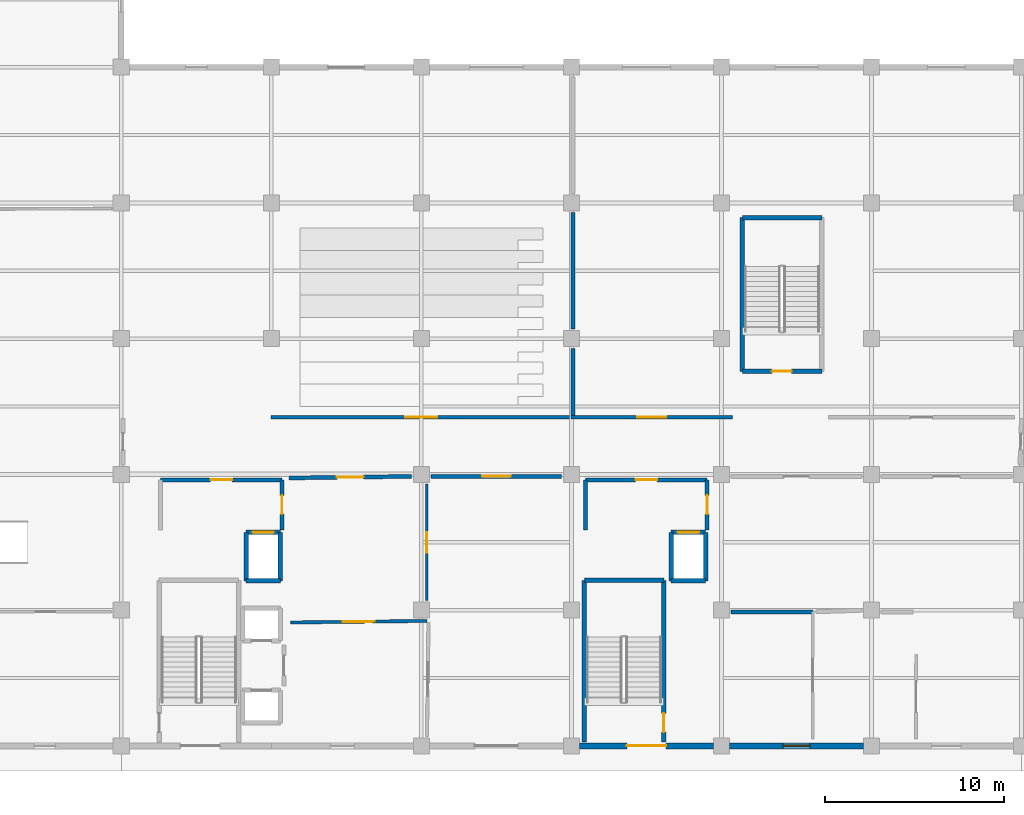
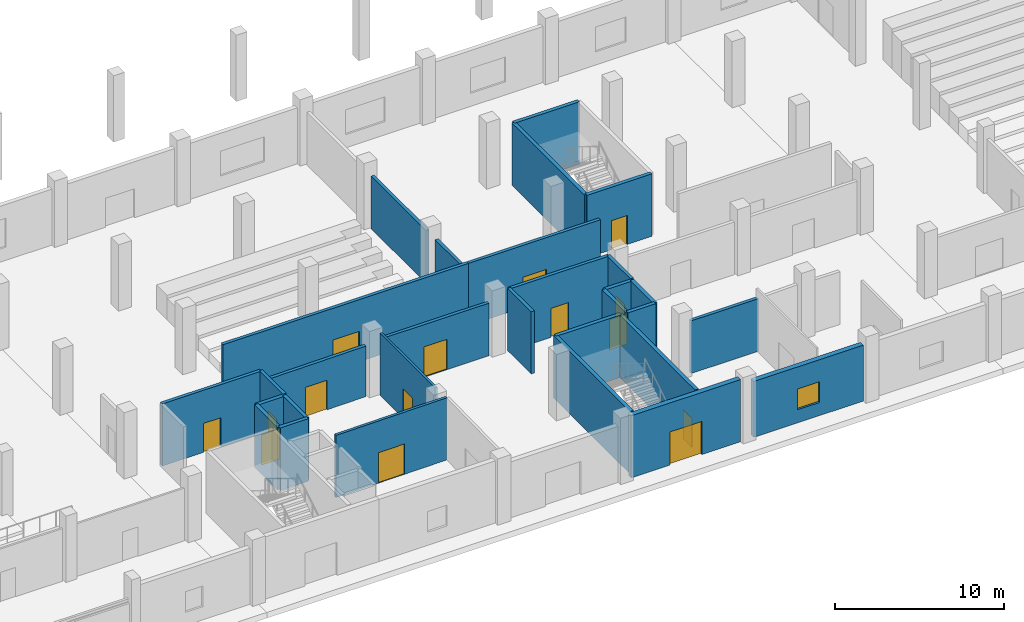
# One storey, part 18 of 36: 30 walls, 15 doors, 1 window, 16 openings.
"""IFC4 building model written with IfcOpenShell, lengths in metres."""

from ifc_helpers import new_model, si_unit, direction, frame, frame_2d, origin, place, context, subcontext, project, spatial, rectangle, extrude, material, layer, layer_set, type_object, element, fill, save


model = new_model("IFC4")

# Units and contexts
model_context = context("Model", 3, precision=1e-05, world=origin(), true_north=direction((0.0, 1.0)))
body_context = subcontext(model_context, "Body", "Model", "MODEL_VIEW")
ifc_project = project(units=[si_unit("LENGTHUNIT", "METRE"), si_unit("AREAUNIT", "SQUARE_METRE"), si_unit("VOLUMEUNIT", "CUBIC_METRE"), si_unit("PLANEANGLEUNIT", "RADIAN"), si_unit("MASSUNIT", "GRAM", prefix="KILO")], contexts=[model_context])

# Site, building, storey
site_placement = place(None, origin())
site = spatial("IfcSite", under=ifc_project, at=site_placement, CompositionType="ELEMENT")
building_placement = place(site_placement, origin())
building = spatial("IfcBuilding", under=site, at=building_placement, Name="Zuvorla Pavilion Media Centre", CompositionType="ELEMENT")
storey_placement = place(building_placement, origin())
storey = spatial("IfcBuildingStorey", under=building, at=storey_placement, Name="L00", CompositionType="ELEMENT", Elevation=0.0)

# Wall, opening, door
ifc_material_1 = material(Name="Acoustic masonry blockwork C32/40", Category="masonry")
ifc_layer_1 = layer(ifc_material_1, 0.219970703125)
ifc_layer_set_1 = layer_set([ifc_layer_1], Name="Acoustic masonry blockwork C32/40")
wall_type_1 = type_object("IfcWallType", Name="WL-CMP-220", PredefinedType="SOLIDWALL", material=ifc_layer_set_1)
wall_1_placement = place(storey_placement, frame((69.0, 20.89990234375, 0.0), z_axis=(0.0, 0.0, 1.0), x_axis=(1.0, 0.0, 0.0)))
wall_1 = element("IfcWall", 1, at=wall_1_placement, inside=storey, type_object=wall_type_1, Name="L00 solid wall IW22 15", PredefinedType="SOLIDWALL", context=body_context, shape_type="SweptSolid", body=[
    extrude(rectangle(XDim=6.800048828125, YDim=0.219970703125, at=frame_2d((3.39990234375, 0.0))), origin(), (0.0, 0.0, 1.0), 4.5),
])
opening_1_placement = place(wall_1_placement, frame((2.800048828125, 0.0, 0.0)))
opening_1 = element("IfcOpeningElement", 2, at=opening_1_placement, cuts=wall_1, Name="Opening FD06", PredefinedType="OPENING", context=body_context, shape_type="SweptSolid", body=[
    extrude(rectangle(XDim=1.199951171875, YDim=2.10009765625, at=frame_2d((0.60009765625, 1.050048828125))), frame((0.0, 0.119873046875, 0.0), z_axis=(0.0, -1.0, 0.0), x_axis=(1.0, 0.0, 0.0)), (0.0, 0.0, 1.0), 0.239990234375),
])
ifc_material_2 = material(Name="Acoustic timber fire door leaf in steel frame", Category="steel")
door_type_1 = type_object("IfcDoorType", Name="DR-INT-FD06", OperationType="NOTDEFINED", PredefinedType="DOOR", material=ifc_material_2)
door_1_placement = place(opening_1_placement, origin())
door_1 = element("IfcDoor", 3, at=door_1_placement, inside=storey, type_object=door_type_1, Name="Firefighting lobby 1 door FD06 6", OperationType="SINGLE_SWING_LEFT", OverallHeight=2.10009765625, OverallWidth=1.199951171875, PredefinedType="DOOR", context=body_context, shape_type="SweptSolid", body=[
    extrude(rectangle(XDim=1.199951171875, YDim=2.10009765625, at=frame_2d((0.60009765625, 1.050048828125))), frame((0.0, 0.02490234375, 0.0), z_axis=(0.0, -1.0, 0.0), x_axis=(1.0, 0.0, 0.0)), (0.0, 0.0, 1.0), 0.050048828125),
])
fill(opening_1, door_1)

wall_2_placement = place(storey_placement, frame((75.800048828125, 18.10009765625, 0.0), z_axis=(0.0, 0.0, 1.0), x_axis=(0.0, 1.0, 0.0)))
wall_2 = element("IfcWall", 4, at=wall_2_placement, inside=storey, type_object=wall_type_1, Name="L00 solid wall IW22 17", PredefinedType="SOLIDWALL", context=body_context, shape_type="SweptSolid", body=[
    extrude(rectangle(XDim=2.7998046875, YDim=0.219970703125, at=frame_2d((1.39990234375, 0.0))), origin(), (0.0, 0.0, 1.0), 4.5),
])
opening_2_placement = place(wall_2_placement, frame((0.875, 0.0, 0.0)))
opening_2 = element("IfcOpeningElement", 5, at=opening_2_placement, cuts=wall_2, Name="Opening FD04", PredefinedType="OPENING", context=body_context, shape_type="SweptSolid", body=[
    extrude(rectangle(XDim=1.050048828125, YDim=2.10009765625, at=frame_2d((0.52490234375, 1.050048828125))), frame((0.0, 0.119873046875, 0.0), z_axis=(0.0, -1.0, 0.0), x_axis=(1.0, 0.0, 0.0)), (0.0, 0.0, 1.0), 0.239990234375),
])
door_type_2 = type_object("IfcDoorType", Name="DR-INT-FD04", OperationType="NOTDEFINED", PredefinedType="DOOR", material=ifc_material_2)
door_2_placement = place(opening_2_placement, origin())
door_2 = element("IfcDoor", 6, at=door_2_placement, inside=storey, type_object=door_type_2, Name="Firefighting lobby 1 access door FD04 7", OperationType="SINGLE_SWING_LEFT", OverallHeight=2.10009765625, OverallWidth=1.050048828125, PredefinedType="DOOR", context=body_context, shape_type="SweptSolid", body=[
    extrude(rectangle(XDim=1.050048828125, YDim=2.10009765625, at=frame_2d((0.52490234375, 1.050048828125))), frame((0.0, 0.02490234375, 0.0), z_axis=(0.0, -1.0, 0.0), x_axis=(1.0, 0.0, 0.0)), (0.0, 0.0, 1.0), 0.050048828125),
])
fill(opening_2, door_2)

wall_3_placement = place(storey_placement, frame((92.800048828125, 20.89990234375, 0.0), z_axis=(0.0, 0.0, 1.0), x_axis=(1.0, 0.0, 0.0)))
wall_3 = element("IfcWall", 7, at=wall_3_placement, inside=storey, type_object=wall_type_1, Name="L00 solid wall IW22 166", PredefinedType="SOLIDWALL", context=body_context, shape_type="SweptSolid", body=[
    extrude(rectangle(XDim=6.800048828125, YDim=0.219970703125, at=frame_2d((3.39990234375, 0.0))), origin(), (0.0, 0.0, 1.0), 4.5),
])
opening_3_placement = place(wall_3_placement, frame((2.800048828125, 0.0, 0.0)))
opening_3 = element("IfcOpeningElement", 8, at=opening_3_placement, cuts=wall_3, Name="Opening FD06", PredefinedType="OPENING", context=body_context, shape_type="SweptSolid", body=[
    extrude(rectangle(XDim=1.199951171875, YDim=2.10009765625, at=frame_2d((0.60009765625, 1.050048828125))), frame((0.0, 0.119873046875, 0.0), z_axis=(0.0, -1.0, 0.0), x_axis=(1.0, 0.0, 0.0)), (0.0, 0.0, 1.0), 0.239990234375),
])
door_3_placement = place(opening_3_placement, origin())
door_3 = element("IfcDoor", 9, at=door_3_placement, inside=storey, type_object=door_type_1, Name="Firefighting lobby 2 door FD06 61", OperationType="SINGLE_SWING_LEFT", OverallHeight=2.10009765625, OverallWidth=1.199951171875, PredefinedType="DOOR", context=body_context, shape_type="SweptSolid", body=[
    extrude(rectangle(XDim=1.199951171875, YDim=2.10009765625, at=frame_2d((0.60009765625, 1.050048828125))), frame((0.0, 0.02490234375, 0.0), z_axis=(0.0, -1.0, 0.0), x_axis=(1.0, 0.0, 0.0)), (0.0, 0.0, 1.0), 0.050048828125),
])
fill(opening_3, door_3)

# Wall
wall_4_placement = place(storey_placement, frame((92.800048828125, 18.10009765625, 0.0), z_axis=(0.0, 0.0, 1.0), x_axis=(0.0, 1.0, 0.0)))
element("IfcWall", 10, at=wall_4_placement, inside=storey, type_object=wall_type_1, Name="L00 solid wall IW22 167", PredefinedType="SOLIDWALL", context=body_context, shape_type="SweptSolid", body=[
    extrude(rectangle(XDim=2.7998046875, YDim=0.219970703125, at=frame_2d((1.39990234375, 0.0))), origin(), (0.0, 0.0, 1.0), 4.5),
])

# Wall, opening, door
wall_5_placement = place(storey_placement, frame((99.60009765625, 18.10009765625, 0.0), z_axis=(0.0, 0.0, 1.0), x_axis=(0.0, 1.0, 0.0)))
wall_5 = element("IfcWall", 11, at=wall_5_placement, inside=storey, type_object=wall_type_1, Name="L00 solid wall IW22 168", PredefinedType="SOLIDWALL", context=body_context, shape_type="SweptSolid", body=[
    extrude(rectangle(XDim=2.7998046875, YDim=0.219970703125, at=frame_2d((1.39990234375, 0.0))), origin(), (0.0, 0.0, 1.0), 4.5),
])
opening_4_placement = place(wall_5_placement, frame((0.875, 0.0, 0.0)))
opening_4 = element("IfcOpeningElement", 12, at=opening_4_placement, cuts=wall_5, Name="Opening FD04", PredefinedType="OPENING", context=body_context, shape_type="SweptSolid", body=[
    extrude(rectangle(XDim=1.050048828125, YDim=2.10009765625, at=frame_2d((0.52490234375, 1.050048828125))), frame((0.0, 0.119873046875, 0.0), z_axis=(0.0, -1.0, 0.0), x_axis=(1.0, 0.0, 0.0)), (0.0, 0.0, 1.0), 0.239990234375),
])
door_4_placement = place(opening_4_placement, origin())
door_4 = element("IfcDoor", 13, at=door_4_placement, inside=storey, type_object=door_type_2, Name="Firefighting lobby 2 access door FD04 62", OperationType="SINGLE_SWING_RIGHT", OverallHeight=2.10009765625, OverallWidth=1.050048828125, PredefinedType="DOOR", context=body_context, shape_type="SweptSolid", body=[
    extrude(rectangle(XDim=1.050048828125, YDim=2.10009765625, at=frame_2d((0.52490234375, 1.050048828125))), frame((0.0, 0.02490234375, 0.0), z_axis=(0.0, -1.0, 0.0), x_axis=(1.0, 0.0, 0.0)), (0.0, 0.0, 1.0), 0.050048828125),
])
fill(opening_4, door_4)

wall_6_placement = place(storey_placement, frame((91.98046875, 24.39990234375, 0.0), z_axis=(0.0, 0.0, 1.0), x_axis=(1.0, 0.0, 0.0)))
wall_6 = element("IfcWall", 14, at=wall_6_placement, inside=storey, type_object=wall_type_1, Name="L00 solid wall IW22 386", PredefinedType="SOLIDWALL", context=body_context, shape_type="SweptSolid", body=[
    extrude(rectangle(XDim=9.0390625, YDim=0.219970703125, at=frame_2d((4.51953125, 0.0))), origin(), (0.0, 0.0, 1.0), 4.5),
])
opening_5_placement = place(wall_6_placement, frame((3.719482421875, 0.0, 0.0)))
opening_5 = element("IfcOpeningElement", 15, at=opening_5_placement, cuts=wall_6, Name="Opening FD09", PredefinedType="OPENING", context=body_context, shape_type="SweptSolid", body=[
    extrude(rectangle(XDim=1.60009765625, YDim=2.199951171875, at=frame_2d((0.800048828125, 1.10009765625))), frame((0.0, 0.119873046875, 0.0), z_axis=(0.0, -1.0, 0.0), x_axis=(1.0, 0.0, 0.0)), (0.0, 0.0, 1.0), 0.239990234375),
])
door_type_3 = type_object("IfcDoorType", Name="DR-INT-FD09", OperationType="NOTDEFINED", PredefinedType="DOOR", material=ifc_material_2)
door_5_placement = place(opening_5_placement, origin())
door_5 = element("IfcDoor", 16, at=door_5_placement, inside=storey, type_object=door_type_3, Name="Interior door FD09 130", OperationType="DOUBLE_DOOR_SINGLE_SWING", OverallHeight=2.199951171875, OverallWidth=1.60009765625, PredefinedType="DOOR", context=body_context, shape_type="SweptSolid", body=[
    extrude(rectangle(XDim=1.60009765625, YDim=2.199951171875, at=frame_2d((0.800048828125, 1.10009765625))), frame((0.0, 0.02490234375, 0.0), z_axis=(0.0, -1.0, 0.0), x_axis=(1.0, 0.0, 0.0)), (0.0, 0.0, 1.0), 0.050048828125),
])
fill(opening_5, door_5)

wall_7_placement = place(storey_placement, frame((75.180419921875, 24.39990234375, 0.0), z_axis=(0.0, 0.0, 1.0), x_axis=(1.0, 0.0, 0.0)))
wall_7 = element("IfcWall", 17, at=wall_7_placement, inside=storey, type_object=wall_type_1, Name="L00 solid wall IW22 387", PredefinedType="SOLIDWALL", context=body_context, shape_type="SweptSolid", body=[
    extrude(rectangle(XDim=16.8291015625, YDim=0.219970703125, at=frame_2d((8.41455078125, 0.0))), origin(), (0.0, 0.0, 1.0), 4.5),
])
opening_6_placement = place(wall_7_placement, frame((7.514404296875, 0.0, 0.0)))
opening_6 = element("IfcOpeningElement", 18, at=opening_6_placement, cuts=wall_7, Name="Opening FD10", PredefinedType="OPENING", context=body_context, shape_type="SweptSolid", body=[
    extrude(rectangle(XDim=1.800048828125, YDim=2.199951171875, at=frame_2d((0.89990234375, 1.10009765625))), frame((0.0, 0.119873046875, 0.0), z_axis=(0.0, -1.0, 0.0), x_axis=(1.0, 0.0, 0.0)), (0.0, 0.0, 1.0), 0.239990234375),
])
door_type_4 = type_object("IfcDoorType", Name="DR-INT-FD10", OperationType="NOTDEFINED", PredefinedType="DOOR", material=ifc_material_2)
door_6_placement = place(opening_6_placement, origin())
door_6 = element("IfcDoor", 19, at=door_6_placement, inside=storey, type_object=door_type_4, Name="Interior door FD10 131", OperationType="DOUBLE_DOOR_SINGLE_SWING", OverallHeight=2.199951171875, OverallWidth=1.800048828125, PredefinedType="DOOR", context=body_context, shape_type="SweptSolid", body=[
    extrude(rectangle(XDim=1.800048828125, YDim=2.199951171875, at=frame_2d((0.89990234375, 1.10009765625))), frame((0.0, 0.02490234375, 0.0), z_axis=(0.0, -1.0, 0.0), x_axis=(1.0, 0.0, 0.0)), (0.0, 0.0, 1.0), 0.050048828125),
])
fill(opening_6, door_6)

wall_8_placement = place(storey_placement, frame((83.06005859375, 21.089111328125, 0.0), z_axis=(0.0, 0.0, 1.0), x_axis=(-0.99991794977, -0.012809907373, 0.0)))
wall_8 = element("IfcWall", 20, at=wall_8_placement, inside=storey, type_object=wall_type_1, Name="L00 solid wall IW22 421", PredefinedType="SOLIDWALL", context=body_context, shape_type="SweptSolid", body=[
    extrude(rectangle(XDim=6.880126953125, YDim=0.219970703125, at=frame_2d((3.43994140625, 0.0))), origin(), (0.0, 0.0, 1.0), 3.659423828125),
])
opening_7_placement = place(wall_8_placement, frame((2.68994140625, 0.0, 0.0)))
opening_7 = element("IfcOpeningElement", 21, at=opening_7_placement, cuts=wall_8, Name="Opening FD08", PredefinedType="OPENING", context=body_context, shape_type="SweptSolid", body=[
    extrude(rectangle(XDim=1.5, YDim=2.14990234375, at=frame_2d((0.75, 1.074951171875))), frame((0.0, 0.119873046875, 0.0), z_axis=(0.0, -1.0, 0.0), x_axis=(1.0, 0.0, 0.0)), (0.0, 0.0, 1.0), 0.239990234375),
])
door_type_5 = type_object("IfcDoorType", Name="DR-INT-FD08", OperationType="NOTDEFINED", PredefinedType="DOOR", material=ifc_material_2)
door_7_placement = place(opening_7_placement, origin())
door_7 = element("IfcDoor", 22, at=door_7_placement, inside=storey, type_object=door_type_5, Name="Interior door FD08 165", OperationType="DOUBLE_DOOR_SINGLE_SWING", OverallHeight=2.14990234375, OverallWidth=1.5, PredefinedType="DOOR", context=body_context, shape_type="SweptSolid", body=[
    extrude(rectangle(XDim=1.5, YDim=2.14990234375, at=frame_2d((0.75, 1.074951171875))), frame((0.0, 0.02490234375, 0.0), z_axis=(0.0, -1.0, 0.0), x_axis=(1.0, 0.0, 0.0)), (0.0, 0.0, 1.0), 0.050048828125),
])
fill(opening_7, door_7)

wall_9_placement = place(storey_placement, frame((91.4599609375, 21.090087890625, 0.0), z_axis=(0.0, 0.0, 1.0), x_axis=(-1.0, 0.0, 0.0)))
wall_9 = element("IfcWall", 23, at=wall_9_placement, inside=storey, type_object=wall_type_1, Name="L00 solid wall IW22 422", PredefinedType="SOLIDWALL", context=body_context, shape_type="SweptSolid", body=[
    extrude(rectangle(XDim=7.320068359375, YDim=0.219970703125, at=frame_2d((3.66015625, 0.0))), origin(), (0.0, 0.0, 1.0), 3.810302734375),
])
opening_8_placement = place(wall_9_placement, frame((2.860107421875, 0.0, 0.0)))
opening_8 = element("IfcOpeningElement", 24, at=opening_8_placement, cuts=wall_9, Name="Opening FD09", PredefinedType="OPENING", context=body_context, shape_type="SweptSolid", body=[
    extrude(rectangle(XDim=1.60009765625, YDim=2.199951171875, at=frame_2d((0.800048828125, 1.10009765625))), frame((0.0, 0.119873046875, 0.0), z_axis=(0.0, -1.0, 0.0), x_axis=(1.0, 0.0, 0.0)), (0.0, 0.0, 1.0), 0.239990234375),
])
door_8_placement = place(opening_8_placement, origin())
door_8 = element("IfcDoor", 25, at=door_8_placement, inside=storey, type_object=door_type_3, Name="Interior door FD09 166", OperationType="DOUBLE_DOOR_SINGLE_SWING", OverallHeight=2.199951171875, OverallWidth=1.60009765625, PredefinedType="DOOR", context=body_context, shape_type="SweptSolid", body=[
    extrude(rectangle(XDim=1.60009765625, YDim=2.199951171875, at=frame_2d((0.800048828125, 1.10009765625))), frame((0.0, 0.02490234375, 0.0), z_axis=(0.0, -1.0, 0.0), x_axis=(1.0, 0.0, 0.0)), (0.0, 0.0, 1.0), 0.050048828125),
])
fill(opening_8, door_8)

# Walls
wall_10_placement = place(storey_placement, frame((100.93994140625, 13.510009765625, 0.0), z_axis=(0.0, 0.0, 1.0), x_axis=(0.999999964482, -0.000266524511, 0.0)))
element("IfcWall", 26, at=wall_10_placement, inside=storey, type_object=wall_type_1, Name="L00 solid wall IW22 432", PredefinedType="SOLIDWALL", context=body_context, shape_type="SweptSolid", body=[
    extrude(rectangle(XDim=4.580078125, YDim=0.219970703125, at=frame_2d((2.2900390625, 0.0))), origin(), (0.0, 0.0, 1.0), 3.810302734375),
])
wall_11_placement = place(storey_placement, frame((92.090087890625, 29.340087890625, 0.0), z_axis=(0.0, 0.0, 1.0), x_axis=(0.0, 1.0, 0.0)))
element("IfcWall", 27, at=wall_11_placement, inside=storey, type_object=wall_type_1, Name="L00 solid wall IW22 444", PredefinedType="SOLIDWALL", context=body_context, shape_type="SweptSolid", body=[
    extrude(rectangle(XDim=6.52001953125, YDim=0.219970703125, at=frame_2d((3.260009765625, 0.0))), origin(), (0.0, 0.0, 1.0), 3.810302734375),
])
wall_12_placement = place(storey_placement, frame((92.090087890625, 24.489990234375, 0.0), z_axis=(0.0, 0.0, 1.0), x_axis=(0.0, 1.0, 0.0)))
element("IfcWall", 28, at=wall_12_placement, inside=storey, type_object=wall_type_1, Name="L00 solid wall IW22 445", PredefinedType="SOLIDWALL", context=body_context, shape_type="SweptSolid", body=[
    extrude(rectangle(XDim=3.77001953125, YDim=0.219970703125, at=frame_2d((1.885009765625, 0.0))), origin(), (0.0, 0.0, 1.0), 3.810302734375),
])
ifc_material_3 = material(Name="Concrete C40/50", Category="concrete")
ifc_layer_2 = layer(ifc_material_3, 0.25)
ifc_layer_set_2 = layer_set([ifc_layer_2], Name="Concrete C40/50")
wall_type_2 = type_object("IfcWallType", Name="WL-COR-250", PredefinedType="SHEAR", material=ifc_layer_set_2)
wall_13_placement = place(storey_placement, frame((73.7900390625, 15.239990234375, 0.0), z_axis=(0.0, 0.0, 1.0), x_axis=(1.0, 0.0, 0.0)))
element("IfcWall", 29, at=wall_13_placement, inside=storey, type_object=wall_type_2, Name="L00 shear wall CW25 129", PredefinedType="SHEAR", context=body_context, shape_type="SweptSolid", body=[
    extrude(rectangle(XDim=1.919921875, YDim=0.25, at=frame_2d((0.9599609375, 0.0))), origin(), (0.0, 0.0, 1.0), 4.52001953125),
])

# Wall, opening, door
wall_14_placement = place(storey_placement, frame((73.7900390625, 17.9599609375, 0.0), z_axis=(0.0, 0.0, 1.0), x_axis=(1.0, 0.0, 0.0)))
wall_14 = element("IfcWall", 30, at=wall_14_placement, inside=storey, type_object=wall_type_2, Name="L00 shear wall CW25 130", PredefinedType="SHEAR", context=body_context, shape_type="SweptSolid", body=[
    extrude(rectangle(XDim=1.919921875, YDim=0.25, at=frame_2d((0.9599609375, 0.0))), origin(), (0.0, 0.0, 1.0), 4.52001953125),
])
opening_9_placement = place(wall_14_placement, frame((0.360107421875, 0.0, 0.0)))
opening_9 = element("IfcOpeningElement", 31, at=opening_9_placement, cuts=wall_14, Name="Opening LD02", PredefinedType="OPENING", context=body_context, shape_type="SweptSolid", body=[
    extrude(rectangle(XDim=1.199951171875, YDim=2.199951171875, at=frame_2d((0.60009765625, 1.10009765625))), frame((0.0, 0.135009765625, 0.0), z_axis=(0.0, -1.0, 0.0), x_axis=(1.0, 0.0, 0.0)), (0.0, 0.0, 1.0), 0.27001953125),
])
ifc_material_4 = material(Name="Brushed stainless steel sliding lift landing door", Category="steel")
door_type_6 = type_object("IfcDoorType", Name="DR-LFT-LD02", OperationType="SLIDING_TO_LEFT", PredefinedType="DOOR", material=ifc_material_4)
door_9_placement = place(opening_9_placement, origin())
door_9 = element("IfcDoor", 32, at=door_9_placement, inside=storey, type_object=door_type_6, Name="Lift LF-03 landing door LD02 50", OperationType="SLIDING_TO_LEFT", OverallHeight=2.199951171875, OverallWidth=1.199951171875, PredefinedType="DOOR", context=body_context, shape_type="SweptSolid", body=[
    extrude(rectangle(XDim=1.199951171875, YDim=2.199951171875, at=frame_2d((0.60009765625, 1.10009765625))), frame((0.0, 0.02490234375, 0.0), z_axis=(0.0, -1.0, 0.0), x_axis=(1.0, 0.0, 0.0)), (0.0, 0.0, 1.0), 0.050048828125),
])
fill(opening_9, door_9)

# Walls
for number, where, z_axis, x_axis, name in (
    (33, (73.7900390625, 15.239990234375, 0.0), (0.0, 0.0, 1.0), (0.0, 1.0, 0.0), "L00 shear wall CW25 131"),
    (34, (75.7099609375, 15.239990234375, 0.0), (0.0, 0.0, 1.0), (0.0, 1.0, 0.0), "L00 shear wall CW25 132"),
):
    element("IfcWall", number, at=place(storey_placement, frame(where, z_axis=z_axis, x_axis=x_axis)), inside=storey, type_object=wall_type_2, Name=name, PredefinedType="SHEAR", context=body_context, shape_type="SweptSolid", body=[
        extrude(rectangle(XDim=2.719970703125, YDim=0.25, at=frame_2d((1.35986328125, 0.0))), origin(), (0.0, 0.0, 1.0), 4.52001953125),
    ])
wall_15_placement = place(storey_placement, frame((92.72509765625, 6.22509765625, 0.0), z_axis=(0.0, 0.0, 1.0), x_axis=(0.0, 1.0, 0.0)))
element("IfcWall", 35, at=wall_15_placement, inside=storey, type_object=wall_type_2, Name="L00 shear wall CW25 163", PredefinedType="SHEAR", context=body_context, shape_type="SweptSolid", body=[
    extrude(rectangle(XDim=9.0498046875, YDim=0.25, at=frame_2d((4.52490234375, 0.0))), origin(), (0.0, 0.0, 1.0), 4.52001953125),
])

# Wall, opening, door
wall_16_placement = place(storey_placement, frame((97.175048828125, 6.22509765625, 0.0), z_axis=(0.0, 0.0, 1.0), x_axis=(0.0, 1.0, 0.0)))
wall_16 = element("IfcWall", 36, at=wall_16_placement, inside=storey, type_object=wall_type_2, Name="L00 shear wall CW25 164", PredefinedType="SHEAR", context=body_context, shape_type="SweptSolid", body=[
    extrude(rectangle(XDim=9.0498046875, YDim=0.25, at=frame_2d((4.52490234375, 0.0))), origin(), (0.0, 0.0, 1.0), 4.52001953125),
])
opening_10_placement = place(wall_16_placement, frame((0.550048828125, 0.0, 0.0)))
opening_10 = element("IfcOpeningElement", 37, at=opening_10_placement, cuts=wall_16, Name="Opening FD04", PredefinedType="OPENING", context=body_context, shape_type="SweptSolid", body=[
    extrude(rectangle(XDim=1.050048828125, YDim=2.10009765625, at=frame_2d((0.52490234375, 1.050048828125))), frame((0.0, 0.135009765625, 0.0), z_axis=(0.0, -1.0, 0.0), x_axis=(1.0, 0.0, 0.0)), (0.0, 0.0, 1.0), 0.27001953125),
])
door_10_placement = place(opening_10_placement, frame((1.050048828125, 0.0, 0.0), z_axis=(0.0, 0.0, 1.0), x_axis=(-1.0, 0.0, 0.0)))
door_10 = element("IfcDoor", 38, at=door_10_placement, inside=storey, type_object=door_type_2, Name="Stair ST-02 fire door FD04 60", OperationType="SINGLE_SWING_LEFT", OverallHeight=2.10009765625, OverallWidth=1.050048828125, PredefinedType="DOOR", context=body_context, shape_type="SweptSolid", body=[
    extrude(rectangle(XDim=1.050048828125, YDim=2.10009765625, at=frame_2d((0.52490234375, 1.050048828125))), frame((0.0, 0.02490234375, 0.0), z_axis=(0.0, -1.0, 0.0), x_axis=(1.0, 0.0, 0.0)), (0.0, 0.0, 1.0), 0.050048828125),
])
fill(opening_10, door_10)

# Walls
wall_17_placement = place(storey_placement, frame((92.72509765625, 15.27490234375, 0.0), z_axis=(0.0, 0.0, 1.0), x_axis=(1.0, 0.0, 0.0)))
element("IfcWall", 39, at=wall_17_placement, inside=storey, type_object=wall_type_2, Name="L00 shear wall CW25 165", PredefinedType="SHEAR", context=body_context, shape_type="SweptSolid", body=[
    extrude(rectangle(XDim=4.449951171875, YDim=0.25, at=frame_2d((2.22509765625, 0.0))), origin(), (0.0, 0.0, 1.0), 4.52001953125),
])
wall_18_placement = place(storey_placement, frame((97.590087890625, 15.239990234375, 0.0), z_axis=(0.0, 0.0, 1.0), x_axis=(1.0, 0.0, 0.0)))
element("IfcWall", 40, at=wall_18_placement, inside=storey, type_object=wall_type_2, Name="L00 shear wall CW25 209", PredefinedType="SHEAR", context=body_context, shape_type="SweptSolid", body=[
    extrude(rectangle(XDim=1.919921875, YDim=0.25, at=frame_2d((0.9599609375, 0.0))), origin(), (0.0, 0.0, 1.0), 4.52001953125),
])

# Wall, opening, door
wall_19_placement = place(storey_placement, frame((97.590087890625, 17.9599609375, 0.0), z_axis=(0.0, 0.0, 1.0), x_axis=(1.0, 0.0, 0.0)))
wall_19 = element("IfcWall", 41, at=wall_19_placement, inside=storey, type_object=wall_type_2, Name="L00 shear wall CW25 210", PredefinedType="SHEAR", context=body_context, shape_type="SweptSolid", body=[
    extrude(rectangle(XDim=1.919921875, YDim=0.25, at=frame_2d((0.9599609375, 0.0))), origin(), (0.0, 0.0, 1.0), 4.52001953125),
])
opening_11_placement = place(wall_19_placement, frame((0.360107421875, 0.0, 0.0)))
opening_11 = element("IfcOpeningElement", 42, at=opening_11_placement, cuts=wall_19, Name="Opening LD02", PredefinedType="OPENING", context=body_context, shape_type="SweptSolid", body=[
    extrude(rectangle(XDim=1.199951171875, YDim=2.199951171875, at=frame_2d((0.60009765625, 1.10009765625))), frame((0.0, 0.135009765625, 0.0), z_axis=(0.0, -1.0, 0.0), x_axis=(1.0, 0.0, 0.0)), (0.0, 0.0, 1.0), 0.27001953125),
])
door_11_placement = place(opening_11_placement, origin())
door_11 = element("IfcDoor", 43, at=door_11_placement, inside=storey, type_object=door_type_6, Name="Lift LF-04 landing door LD02 82", OperationType="SLIDING_TO_LEFT", OverallHeight=2.199951171875, OverallWidth=1.199951171875, PredefinedType="DOOR", context=body_context, shape_type="SweptSolid", body=[
    extrude(rectangle(XDim=1.199951171875, YDim=2.199951171875, at=frame_2d((0.60009765625, 1.10009765625))), frame((0.0, 0.02490234375, 0.0), z_axis=(0.0, -1.0, 0.0), x_axis=(1.0, 0.0, 0.0)), (0.0, 0.0, 1.0), 0.050048828125),
])
fill(opening_11, door_11)

# Walls
for number, where, z_axis, x_axis, name in (
    (44, (97.590087890625, 15.239990234375, 0.0), (0.0, 0.0, 1.0), (0.0, 1.0, 0.0), "L00 shear wall CW25 211"),
    (45, (99.510009765625, 15.239990234375, 0.0), (0.0, 0.0, 1.0), (0.0, 1.0, 0.0), "L00 shear wall CW25 212"),
):
    element("IfcWall", number, at=place(storey_placement, frame(where, z_axis=z_axis, x_axis=x_axis)), inside=storey, type_object=wall_type_2, Name=name, PredefinedType="SHEAR", context=body_context, shape_type="SweptSolid", body=[
        extrude(rectangle(XDim=2.719970703125, YDim=0.25, at=frame_2d((1.35986328125, 0.0))), origin(), (0.0, 0.0, 1.0), 4.52001953125),
    ])
wall_20_placement = place(storey_placement, frame((101.574951171875, 26.97509765625, 0.0), z_axis=(0.0, 0.0, 1.0), x_axis=(0.0, 1.0, 0.0)))
element("IfcWall", 46, at=wall_20_placement, inside=storey, type_object=wall_type_2, Name="L00 shear wall CW25 305", PredefinedType="SHEAR", context=body_context, shape_type="SweptSolid", body=[
    extrude(rectangle(XDim=8.599853515625, YDim=0.25, at=frame_2d((4.2998046875, 0.0))), origin(), (0.0, 0.0, 1.0), 4.52001953125),
])
wall_21_placement = place(storey_placement, frame((101.574951171875, 35.574951171875, 0.0), z_axis=(0.0, 0.0, 1.0), x_axis=(1.0, 0.0, 0.0)))
element("IfcWall", 47, at=wall_21_placement, inside=storey, type_object=wall_type_2, Name="L00 shear wall CW25 307", PredefinedType="SHEAR", context=body_context, shape_type="SweptSolid", body=[
    extrude(rectangle(XDim=4.449951171875, YDim=0.25, at=frame_2d((2.22509765625, 0.0))), origin(), (0.0, 0.0, 1.0), 4.52001953125),
])

# Wall, opening, door
wall_22_placement = place(storey_placement, frame((101.574951171875, 26.97509765625, 0.0), z_axis=(0.0, 0.0, 1.0), x_axis=(1.0, 0.0, 0.0)))
wall_22 = element("IfcWall", 48, at=wall_22_placement, inside=storey, type_object=wall_type_2, Name="L00 shear wall CW25 308", PredefinedType="SHEAR", context=body_context, shape_type="SweptSolid", body=[
    extrude(rectangle(XDim=4.449951171875, YDim=0.25, at=frame_2d((2.22509765625, 0.0))), origin(), (0.0, 0.0, 1.0), 4.52001953125),
])
opening_12_placement = place(wall_22_placement, frame((1.64990234375, 0.0, 0.0)))
opening_12 = element("IfcOpeningElement", 49, at=opening_12_placement, cuts=wall_22, Name="Opening FD05", PredefinedType="OPENING", context=body_context, shape_type="SweptSolid", body=[
    extrude(rectangle(XDim=1.10009765625, YDim=2.10009765625, at=frame_2d((0.550048828125, 1.050048828125))), frame((0.0, 0.135009765625, 0.0), z_axis=(0.0, -1.0, 0.0), x_axis=(1.0, 0.0, 0.0)), (0.0, 0.0, 1.0), 0.27001953125),
])
door_type_7 = type_object("IfcDoorType", Name="DR-INT-FD05", OperationType="NOTDEFINED", PredefinedType="DOOR", material=ifc_material_2)
door_12_placement = place(opening_12_placement, frame((1.10009765625, 0.0, 0.0), z_axis=(0.0, 0.0, 1.0), x_axis=(-1.0, 0.0, 0.0)))
door_12 = element("IfcDoor", 50, at=door_12_placement, inside=storey, type_object=door_type_7, Name="Stair ST-04 fire door FD05 106", OperationType="SINGLE_SWING_RIGHT", OverallHeight=2.10009765625, OverallWidth=1.10009765625, PredefinedType="DOOR", context=body_context, shape_type="SweptSolid", body=[
    extrude(rectangle(XDim=1.10009765625, YDim=2.10009765625, at=frame_2d((0.550048828125, 1.050048828125))), frame((0.0, 0.02490234375, 0.0), z_axis=(0.0, -1.0, 0.0), x_axis=(1.0, 0.0, 0.0)), (0.0, 0.0, 1.0), 0.050048828125),
])
fill(opening_12, door_12)

ifc_material_5 = material(Name="White rendered concrete C32/40", Category="concrete")
ifc_layer_3 = layer(ifc_material_5, 0.340087890625)
ifc_layer_set_3 = layer_set([ifc_layer_3], Name="White rendered concrete C32/40")
wall_type_3 = type_object("IfcWallType", Name="WL-EXT-340", PredefinedType="SOLIDWALL", material=ifc_layer_set_3)
wall_23_placement = place(storey_placement, frame((92.449951171875, 6.0, 0.0), z_axis=(0.0, 0.0, 1.0), x_axis=(1.0, 0.0, 0.0)))
wall_23 = element("IfcWall", 51, at=wall_23_placement, inside=storey, type_object=wall_type_3, Name="L00 exterior solid wall EW02 57", PredefinedType="SOLIDWALL", context=body_context, shape_type="SweptSolid", body=[
    extrude(rectangle(XDim=7.5, YDim=0.340087890625, at=frame_2d((3.75, 0.0))), origin(), (0.0, 0.0, 1.0), 4.5),
])
opening_13_placement = place(wall_23_placement, frame((2.64990234375, 0.0, 0.0)))
opening_13 = element("IfcOpeningElement", 52, at=opening_13_placement, cuts=wall_23, Name="Opening ED02", PredefinedType="OPENING", context=body_context, shape_type="SweptSolid", body=[
    extrude(rectangle(XDim=2.199951171875, YDim=2.39990234375, at=frame_2d((1.10009765625, 1.199951171875))), frame((0.0, 0.179931640625, 0.0), z_axis=(0.0, -1.0, 0.0), x_axis=(1.0, 0.0, 0.0)), (0.0, 0.0, 1.0), 0.360107421875),
])
ifc_material_6 = material(Name="Anodised aluminium glazed exit door", Category="aluminium")
door_type_8 = type_object("IfcDoorType", Name="DR-EXT-220x240", OperationType="NOTDEFINED", PredefinedType="DOOR", material=ifc_material_6)
door_13_placement = place(opening_13_placement, frame((2.199951171875, 0.0, 0.0), z_axis=(0.0, 0.0, 1.0), x_axis=(-1.0, 0.0, 0.0)))
door_13 = element("IfcDoor", 53, at=door_13_placement, inside=storey, type_object=door_type_8, Name="Exterior Exit Door DR-EXT-L00-005", OperationType="DOUBLE_DOOR_SINGLE_SWING", OverallHeight=2.39990234375, OverallWidth=2.199951171875, PredefinedType="DOOR", context=body_context, shape_type="SweptSolid", body=[
    extrude(rectangle(XDim=2.199951171875, YDim=2.39990234375, at=frame_2d((1.10009765625, 1.199951171875))), frame((0.0, 0.02490234375, 0.0), z_axis=(0.0, -1.0, 0.0), x_axis=(1.0, 0.0, 0.0)), (0.0, 0.0, 1.0), 0.050048828125),
])
fill(opening_13, door_13)

# Wall, opening, window
wall_24_placement = place(storey_placement, frame((100.85009765625, 6.0, 0.0), z_axis=(0.0, 0.0, 1.0), x_axis=(1.0, 0.0, 0.0)))
wall_24 = element("IfcWall", 54, at=wall_24_placement, inside=storey, type_object=wall_type_3, Name="L00 exterior solid wall EW02 58", PredefinedType="SOLIDWALL", context=body_context, shape_type="SweptSolid", body=[
    extrude(rectangle(XDim=7.5, YDim=0.340087890625, at=frame_2d((3.75, 0.0))), origin(), (0.0, 0.0, 1.0), 4.047119140625),
])
opening_14_placement = place(wall_24_placement, frame((3.0, 0.0, 0.949951171875)))
opening_14 = element("IfcOpeningElement", 55, at=opening_14_placement, cuts=wall_24, Name="Opening WN03", PredefinedType="OPENING", context=body_context, shape_type="SweptSolid", body=[
    extrude(rectangle(XDim=1.5, YDim=1.5, at=frame_2d((0.75, 0.75))), frame((0.0, 0.179931640625, 0.0), z_axis=(0.0, -1.0, 0.0), x_axis=(1.0, 0.0, 0.0)), (0.0, 0.0, 1.0), 0.360107421875),
])
ifc_material_7 = material(Name="Anodised aluminium frame with solar double glazing", Category="aluminium")
window_type = type_object("IfcWindowType", Name="WIN-WN03", PartitioningType="SINGLE_PANEL", PredefinedType="WINDOW", material=ifc_material_7)
window_placement = place(opening_14_placement, origin())
window = element("IfcWindow", 56, at=window_placement, inside=storey, type_object=window_type, Name="L00 window WN03 3", OverallHeight=1.5, OverallWidth=1.5, PartitioningType="SINGLE_PANEL", PredefinedType="WINDOW", context=body_context, shape_type="SweptSolid", body=[
    extrude(rectangle(XDim=1.5, YDim=1.5, at=frame_2d((0.75, 0.75))), frame((0.0, 0.030029296875, 0.0), z_axis=(0.0, -1.0, 0.0), x_axis=(1.0, 0.0, 0.0)), (0.0, 0.0, 1.0), 0.06005859375),
])
fill(opening_14, window)

# Wall, opening, door
ifc_material_8 = material(Name="Acoustic gypsum stud partition")
ifc_layer_4 = layer(ifc_material_8, 0.14990234375)
ifc_layer_set_4 = layer_set([ifc_layer_4], Name="Acoustic gypsum stud partition")
wall_type_4 = type_object("IfcWallType", Name="WL-PRT-150", PredefinedType="PARTITIONING", material=ifc_layer_set_4)
wall_25_placement = place(storey_placement, frame((83.909912109375, 20.659912109375, 0.0), z_axis=(0.0, 0.0, 1.0), x_axis=(0.0, -1.0, 0.0)))
wall_25 = element("IfcWall", 57, at=wall_25_placement, inside=storey, type_object=wall_type_4, Name="L00 partition PT15 425", PredefinedType="PARTITIONING", context=body_context, shape_type="SweptSolid", body=[
    extrude(rectangle(XDim=6.52001953125, YDim=0.14990234375, at=frame_2d((3.260009765625, 0.0))), origin(), (0.0, 0.0, 1.0), 4.5),
])
opening_15_placement = place(wall_25_placement, frame((2.68505859375, 0.0, 0.0)))
opening_15 = element("IfcOpeningElement", 58, at=opening_15_placement, cuts=wall_25, Name="Opening ID06", PredefinedType="OPENING", context=body_context, shape_type="SweptSolid", body=[
    extrude(rectangle(XDim=1.14990234375, YDim=2.1201171875, at=frame_2d((0.574951171875, 1.06005859375))), frame((0.0, 0.0849609375, 0.0), z_axis=(0.0, -1.0, 0.0), x_axis=(1.0, 0.0, 0.0)), (0.0, 0.0, 1.0), 0.169921875),
])
ifc_material_9 = material(Name="Hardwood acoustic studio door in anodised frame", Category="wood")
door_type_9 = type_object("IfcDoorType", Name="DR-UNR-ID06", OperationType="NOTDEFINED", PredefinedType="DOOR", material=ifc_material_9)
door_14_placement = place(opening_15_placement, origin())
door_14 = element("IfcDoor", 59, at=door_14_placement, inside=storey, type_object=door_type_9, Name="Interior door ID06 169", OperationType="SINGLE_SWING_LEFT", OverallHeight=2.1201171875, OverallWidth=1.14990234375, PredefinedType="DOOR", context=body_context, shape_type="SweptSolid", body=[
    extrude(rectangle(XDim=1.14990234375, YDim=2.1201171875, at=frame_2d((0.574951171875, 1.06005859375))), frame((0.0, 0.02490234375, 0.0), z_axis=(0.0, -1.0, 0.0), x_axis=(1.0, 0.0, 0.0)), (0.0, 0.0, 1.0), 0.050048828125),
])
fill(opening_15, door_14)

ifc_material_10 = material(Name="Double acoustic gypsum stud partition")
ifc_layer_5 = layer(ifc_material_10, 0.179931640625)
ifc_layer_set_5 = layer_set([ifc_layer_5], Name="Double acoustic gypsum stud partition")
wall_type_5 = type_object("IfcWallType", Name="WL-PRT-180", PredefinedType="PARTITIONING", material=ifc_layer_set_5)
wall_26_placement = place(storey_placement, frame((76.280029296875, 12.910888671875, 0.0), z_axis=(0.0, 0.0, 1.0), x_axis=(0.999933465536, 0.01153535874, 0.0)))
wall_26 = element("IfcWall", 60, at=wall_26_placement, inside=storey, type_object=wall_type_5, Name="L00 partition PT18 402", PredefinedType="PARTITIONING", context=body_context, shape_type="SweptSolid", body=[
    extrude(rectangle(XDim=7.640380859375, YDim=0.179931640625, at=frame_2d((3.8203125, 0.0))), origin(), (0.0, 0.0, 1.0), 4.5),
])
opening_16_placement = place(wall_26_placement, frame((2.92041015625, 0.0, 0.0)))
opening_16 = element("IfcOpeningElement", 61, at=opening_16_placement, cuts=wall_26, Name="Opening FD10", PredefinedType="OPENING", context=body_context, shape_type="SweptSolid", body=[
    extrude(rectangle(XDim=1.800048828125, YDim=2.199951171875, at=frame_2d((0.89990234375, 1.10009765625))), frame((0.0, 0.099853515625, 0.0), z_axis=(0.0, -1.0, 0.0), x_axis=(1.0, 0.0, 0.0)), (0.0, 0.0, 1.0), 0.199951171875),
])
door_15_placement = place(opening_16_placement, origin())
door_15 = element("IfcDoor", 62, at=door_15_placement, inside=storey, type_object=door_type_4, Name="Interior door FD10 146", OperationType="DOUBLE_DOOR_SINGLE_SWING", OverallHeight=2.199951171875, OverallWidth=1.800048828125, PredefinedType="DOOR", context=body_context, shape_type="SweptSolid", body=[
    extrude(rectangle(XDim=1.800048828125, YDim=2.199951171875, at=frame_2d((0.89990234375, 1.10009765625))), frame((0.0, 0.02490234375, 0.0), z_axis=(0.0, -1.0, 0.0), x_axis=(1.0, 0.0, 0.0)), (0.0, 0.0, 1.0), 0.050048828125),
])
fill(opening_16, door_15)

save(model, "model.ifc")
